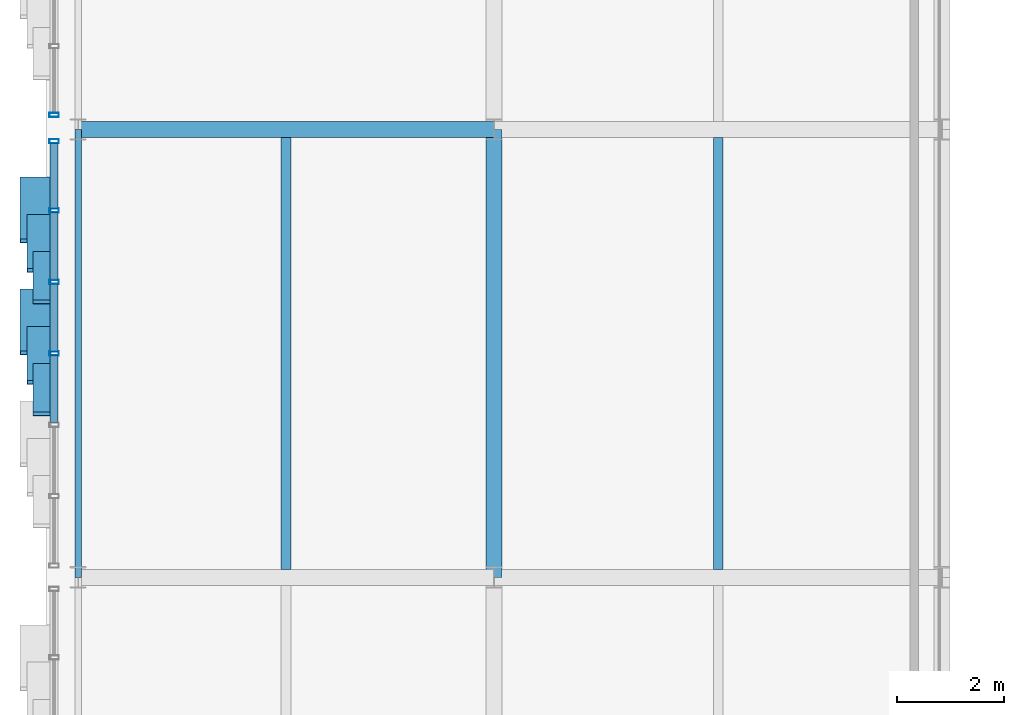
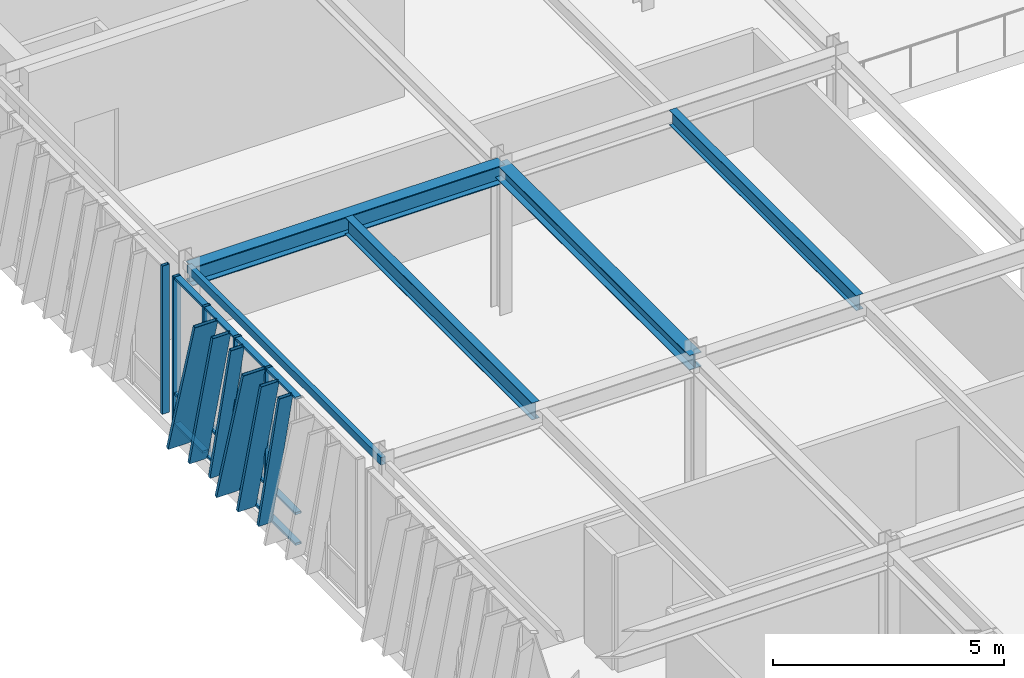
# One storey, part 40 of 127: 23 members, 5 beams, 2 elements without a shape of their own.
"""IFC4 building model written with IfcOpenShell, lengths in metres."""

import ifcopenshell
import ifcopenshell.guid

model = None  # the IFC model being written
_history = None  # IfcOwnerHistory: only IFC2X3 demands one
_inside = {}  # id of a spatial element -> (the spatial element, [elements in it])
_under = {}  # id of a project, library or spatial element -> (it, [spatial elements below it])
_declared = {}  # id of a project -> (the project, [libraries it declares])
_typed = {}  # id of a type object -> (the type object, [elements of that type])
_made_of = {}  # id of a material, layer set ... -> (it, [elements and type objects made of it])


def new_model(schema):
    """Start an empty IFC model of exactly this schema.

    Asked for "IFC4X3", IfcOpenShell would pick the latest addendum, in which some entities
    have other attributes; the version numbers below select the first issue.
    IFC2X3 requires an IfcOwnerHistory on every rooted entity: one is made here for all.
    """
    global model, _history
    if schema == "IFC4X3":
        model = ifcopenshell.file(schema_version=(4, 3, 0, 0))
    else:
        model = ifcopenshell.file(schema=schema)
    _inside.clear()
    _under.clear()
    _declared.clear()
    _typed.clear()
    _made_of.clear()
    _history = None
    if model.schema == "IFC2X3":
        org = make("IfcOrganization", Name="unknown")
        user = make(
            "IfcPersonAndOrganization",
            ThePerson=make("IfcPerson", FamilyName="unknown"),
            TheOrganization=org,
        )
        app = make(
            "IfcApplication",
            ApplicationDeveloper=org,
            Version="unknown",
            ApplicationFullName="unknown",
            ApplicationIdentifier="unknown",
        )
        _history = make(
            "IfcOwnerHistory",
            OwningUser=user,
            OwningApplication=app,
            ChangeAction="ADDED",
            CreationDate=0,
        )
    return model


def make(cls, **values):
    """One entity of the class cls with the attributes given. An attribute that is None is left unset."""
    return model.create_entity(
        cls, **{name: value for name, value in values.items() if value is not None}
    )


def rooted(cls, **values):
    """An entity with a GlobalId (a new one), such as an element, a storey or a relation."""
    return make(cls, GlobalId=ifcopenshell.guid.new(), OwnerHistory=_history, **values)


def si_unit(unit_type, name, prefix=None):
    """IfcSIUnit, for example si_unit("LENGTHUNIT", "METRE", prefix="MILLI")."""
    return make("IfcSIUnit", UnitType=unit_type, Prefix=prefix, Name=name)


def assignment(units):
    """IfcUnitAssignment: the units of a project."""
    return None if units is None else make("IfcUnitAssignment", Units=units)


def point(xyz):
    """IfcCartesianPoint."""
    return None if xyz is None else make("IfcCartesianPoint", Coordinates=xyz)


def direction(xyz):
    """IfcDirection."""
    return None if xyz is None else make("IfcDirection", DirectionRatios=xyz)


def frame(location, z_axis=None, x_axis=None):
    """IfcAxis2Placement3D, a coordinate frame: its origin and axes. An axis left out is left unset."""
    return make(
        "IfcAxis2Placement3D",
        Location=point(location),
        Axis=direction(z_axis),
        RefDirection=direction(x_axis),
    )


def frame_2d(location, x_axis=None):
    """IfcAxis2Placement2D, a coordinate frame in the plane: its origin and x axis."""
    return make(
        "IfcAxis2Placement2D", Location=point(location), RefDirection=direction(x_axis)
    )


def origin():
    """The frame at (0, 0, 0) with its axes left unset."""
    return frame((0.0, 0.0, 0.0))


def origin_2d():
    """The frame at (0, 0) in the plane with its x axis left unset."""
    return frame_2d((0.0, 0.0))


def place(relative_to, where):
    """IfcLocalPlacement: puts the frame where relative to a parent placement (None: the world)."""
    return make(
        "IfcLocalPlacement", PlacementRelTo=relative_to, RelativePlacement=where
    )


def context(
    kind, dimensions, precision=None, world=None, true_north=None, identifier=None
):
    """IfcGeometricRepresentationContext, for example the 3D "Model" context."""
    return make(
        "IfcGeometricRepresentationContext",
        ContextIdentifier=identifier,
        ContextType=kind,
        CoordinateSpaceDimension=dimensions,
        Precision=precision,
        WorldCoordinateSystem=world,
        TrueNorth=true_north,
    )


def subcontext(parent, identifier, kind, view, scale=None):
    """IfcGeometricRepresentationSubContext, for example "Body" below "Model"."""
    return make(
        "IfcGeometricRepresentationSubContext",
        ContextIdentifier=identifier,
        ContextType=kind,
        ParentContext=parent,
        TargetScale=scale,
        TargetView=view,
    )


def project(units=None, contexts=None):
    """IfcProject with its units and contexts."""
    return rooted(
        "IfcProject",
        Name="project",
        RepresentationContexts=contexts,
        UnitsInContext=assignment(units),
    )


def spatial(cls, under=None, at=None, **own):
    """A site, building, storey or space (cls), placed at a placement, below another one or the project."""
    s = rooted(cls, ObjectPlacement=at, **own)
    if under is not None:
        _under.setdefault(under.id(), (under, []))[1].append(s)
    return s


def profile(cls, at=None, kind="AREA", **sizes):
    """A parametric profile (cls). Its sizes go by their IFC names, for example OverallWidth=200.0."""
    return make(cls, ProfileType=kind, Position=at, **sizes)


def hollow_rectangle(**sizes):
    """IfcRectangleHollowProfileDef."""
    return profile("IfcRectangleHollowProfileDef", **sizes)


def i_section(**sizes):
    """IfcIShapeProfileDef."""
    return profile("IfcIShapeProfileDef", **sizes)


def extrude(swept, where, along, depth):
    """IfcExtrudedAreaSolid: the profile swept, set in the frame where, extruded along a direction by depth."""
    return make(
        "IfcExtrudedAreaSolid",
        SweptArea=swept,
        Position=where,
        ExtrudedDirection=direction(along),
        Depth=depth,
    )


def shape(context_of_items, identifier, shape_type, items):
    """IfcShapeRepresentation: the items that make up one representation, for example the "Body"."""
    return make(
        "IfcShapeRepresentation",
        ContextOfItems=context_of_items,
        RepresentationIdentifier=identifier,
        RepresentationType=shape_type,
        Items=items,
    )


def material(Name=None, Category=None):
    """IfcMaterial."""
    return make("IfcMaterial", Name=Name, Category=Category)


def layer(
    of_material, thickness, ventilated=None, Name=None, Category=None, Priority=None
):
    """IfcMaterialLayer: one layer of a wall or slab, of a material (None: an air gap)."""
    return make(
        "IfcMaterialLayer",
        Material=of_material,
        LayerThickness=thickness,
        IsVentilated=ventilated,
        Name=Name,
        Category=Category,
        Priority=Priority,
    )


def layer_set(layers, Name=None):
    """IfcMaterialLayerSet."""
    return make("IfcMaterialLayerSet", MaterialLayers=layers, LayerSetName=Name)


def material_profile(
    of_material, cross_section, Name=None, Category=None, Priority=None
):
    """IfcMaterialProfile: a cross section and its material."""
    return make(
        "IfcMaterialProfile",
        Name=Name,
        Material=of_material,
        Profile=cross_section,
        Priority=Priority,
        Category=Category,
    )


def profile_set(profiles, Name=None, composite=None):
    """IfcMaterialProfileSet."""
    return make(
        "IfcMaterialProfileSet",
        Name=Name,
        MaterialProfiles=profiles,
        CompositeProfile=composite,
    )


def made_of(thing, what):
    """Note that an element or type object is made of a material, layer set ...; save() writes the relation."""
    if what is not None:
        _made_of.setdefault(what.id(), (what, []))[1].append(thing)
    return thing


def type_object(cls, material=None, **own):
    """A type object (cls), such as IfcWallType, which elements share."""
    return made_of(rooted(cls, **own), material)


def element(
    cls,
    number,
    at=None,
    inside=None,
    cuts=None,
    type_object=None,
    material=None,
    context=None,
    identifier="Body",
    shape_type=None,
    held_by="IfcProductDefinitionShape",
    body=None,
    shapes=None,
    **own,
):
    """One element of the class cls, such as IfcWall. Its Tag is "e" and its number.

    at: its placement. inside: the storey or other place that contains it. cuts: it is an
    opening in that element (IfcRelVoidsElement). A single representation is given by context,
    identifier, shape_type and body (its items); several are given by shapes. held_by: the class
    of the entity that holds the representations. save() writes the other relations.
    """
    e = rooted(cls, Tag="e%d" % number, ObjectPlacement=at, **own)
    if body is not None:
        shapes = [shape(context, identifier, shape_type, body)]
    if shapes is not None:
        e.Representation = make(held_by, Representations=shapes)
    if inside is not None:
        _inside.setdefault(inside.id(), (inside, []))[1].append(e)
    if cuts is not None:
        rooted(
            "IfcRelVoidsElement", RelatingBuildingElement=cuts, RelatedOpeningElement=e
        )
    if type_object is not None:
        _typed.setdefault(type_object.id(), (type_object, []))[1].append(e)
    return made_of(e, material)


def aggregate(whole, parts):
    """IfcRelAggregates: a whole, such as a stair, and the parts it consists of."""
    return rooted("IfcRelAggregates", RelatingObject=whole, RelatedObjects=parts)


def save(model, path):
    """Write the relations noted so far, then the file.

    IfcRelAggregates (storeys below a building ...), IfcRelContainedInSpatialStructure (elements
    in a storey), IfcRelDefinesByType, IfcRelAssociatesMaterial and IfcRelDeclares: one each for
    every whole, place, type object, material and project.
    """
    for whole, parts in _under.values():
        aggregate(whole, parts)
    for where, things in _inside.values():
        rooted(
            "IfcRelContainedInSpatialStructure",
            RelatedElements=things,
            RelatingStructure=where,
        )
    for kind, things in _typed.values():
        rooted("IfcRelDefinesByType", RelatedObjects=things, RelatingType=kind)
    for what, things in _made_of.values():
        rooted("IfcRelAssociatesMaterial", RelatedObjects=things, RelatingMaterial=what)
    for by, libraries in _declared.values():
        rooted("IfcRelDeclares", RelatingContext=by, RelatedDefinitions=libraries)
    model.write(path)


model = new_model("IFC4")

# Units and contexts
model_context = context("Model", 3, precision=1e-05, world=origin(), true_north=direction((0.0, 1.0)))
body_context = subcontext(model_context, "Body", "Model", "MODEL_VIEW")
ifc_project = project(units=[si_unit("LENGTHUNIT", "METRE"), si_unit("AREAUNIT", "SQUARE_METRE"), si_unit("VOLUMEUNIT", "CUBIC_METRE"), si_unit("PLANEANGLEUNIT", "RADIAN"), si_unit("MASSUNIT", "GRAM", prefix="KILO")], contexts=[model_context])

# Site, building, storey
site_placement = place(None, origin())
site = spatial("IfcSite", under=ifc_project, at=site_placement, CompositionType="ELEMENT")
building_placement = place(site_placement, origin())
building = spatial("IfcBuilding", under=site, at=building_placement, Name="Zayran Congress Hotel", CompositionType="ELEMENT")
storey_placement = place(building_placement, frame((0.0, 0.0, 10.800048828125)))
storey = spatial("IfcBuildingStorey", under=building, at=storey_placement, Name="L02", CompositionType="ELEMENT", Elevation=10.800048828125)

# Beams
ifc_material_1 = material(Name="Steel S355", Category="steel")
ifc_material_profile_1 = material_profile(ifc_material_1, i_section(OverallWidth=0.300048828125, OverallDepth=0.489990234375, WebThickness=0.011962890625, FlangeThickness=0.02294921875, at=origin_2d()), Name="HEA 500")
ifc_profile_set_1 = profile_set([ifc_material_profile_1], Name="Steel S355")
beam_type_1 = type_object("IfcBeamType", Name="TP-BM-05", PredefinedType="BEAM", material=ifc_profile_set_1)
beam_1_placement = place(storey_placement, frame((9.0, 101.199951171875, 3.675048828125), z_axis=(1.0, 0.0, 0.0), x_axis=(0.0, 1.0, 0.0)))
element("IfcBeam", 1, at=beam_1_placement, inside=storey, type_object=beam_type_1, Name="BM-V1-L02-0686", PredefinedType="BEAM", context=body_context, shape_type="SweptSolid", body=[
    extrude(i_section(OverallWidth=0.300048828125, OverallDepth=0.489990234375, WebThickness=0.011962890625, FlangeThickness=0.02294921875, at=origin_2d()), origin(), (0.0, 0.0, 1.0), 7.800048828125),
])
ifc_material_profile_2 = material_profile(ifc_material_1, i_section(OverallWidth=0.300048828125, OverallDepth=0.389892578125, WebThickness=0.010986328125, FlangeThickness=0.01904296875, at=origin_2d()), Name="HEA 400")
ifc_profile_set_2 = profile_set([ifc_material_profile_2], Name="Steel S355")
beam_type_2 = type_object("IfcBeamType", Name="TP-BM-06", PredefinedType="BEAM", material=ifc_profile_set_2)
beam_2_placement = place(storey_placement, frame((16.800048828125, 92.800048828125, 3.724853515625), z_axis=(0.0, 1.0, 0.0), x_axis=(-1.0, 0.0, 0.0)))
element("IfcBeam", 2, at=beam_2_placement, inside=storey, type_object=beam_type_2, Name="BM-V1-L02-0718", PredefinedType="BEAM", context=body_context, shape_type="SweptSolid", body=[
    extrude(i_section(OverallWidth=0.300048828125, OverallDepth=0.389892578125, WebThickness=0.010986328125, FlangeThickness=0.01904296875, at=origin_2d()), origin(), (0.0, 0.0, 1.0), 8.39990234375),
])
ifc_material_profile_3 = material_profile(ifc_material_1, i_section(OverallWidth=0.18994140625, OverallDepth=0.449951171875, WebThickness=0.009521484375, FlangeThickness=0.0146484375, at=origin_2d()), Name="IPE 450")
ifc_profile_set_3 = profile_set([ifc_material_profile_3], Name="Steel S355")
beam_type_3 = type_object("IfcBeamType", Name="TP-JS-02", PredefinedType="JOIST", material=ifc_profile_set_3)
beam_3_placement = place(storey_placement, frame((12.89990234375, 92.949951171875, 3.695068359375), z_axis=(0.0, 1.0, 0.0), x_axis=(-1.0, 0.0, 0.0)))
element("IfcBeam", 3, at=beam_3_placement, inside=storey, type_object=beam_type_3, Name="JST-V1-L02-0758", PredefinedType="JOIST", context=body_context, shape_type="SweptSolid", body=[
    extrude(i_section(OverallWidth=0.18994140625, OverallDepth=0.449951171875, WebThickness=0.009521484375, FlangeThickness=0.0146484375, at=origin_2d()), origin(), (0.0, 0.0, 1.0), 8.10009765625),
])
ifc_material_profile_4 = material_profile(ifc_material_1, i_section(OverallWidth=0.179931640625, OverallDepth=0.39990234375, WebThickness=0.008544921875, FlangeThickness=0.013427734375, at=origin_2d()), Name="IPE 400")
ifc_profile_set_4 = profile_set([ifc_material_profile_4], Name="Steel S355")
beam_type_4 = type_object("IfcBeamType", Name="TP-JS-03", PredefinedType="JOIST", material=ifc_profile_set_4)
beam_4_placement = place(storey_placement, frame((21.0, 92.949951171875, 3.719970703125), z_axis=(0.0, 1.0, 0.0), x_axis=(-1.0, 0.0, 0.0)))
element("IfcBeam", 4, at=beam_4_placement, inside=storey, type_object=beam_type_4, Name="JST-V1-L02-0762", PredefinedType="JOIST", context=body_context, shape_type="SweptSolid", body=[
    extrude(i_section(OverallWidth=0.179931640625, OverallDepth=0.39990234375, WebThickness=0.008544921875, FlangeThickness=0.013427734375, at=origin_2d()), origin(), (0.0, 0.0, 1.0), 8.10009765625),
])
ifc_material_profile_5 = material_profile(ifc_material_1, hollow_rectangle(XDim=0.1201171875, YDim=0.199951171875, WallThickness=0.008056640625, at=origin_2d()), Name="RHS 200x120x8")
ifc_profile_set_5 = profile_set([ifc_material_profile_5], Name="Steel S355")
beam_type_5 = type_object("IfcBeamType", Name="TP-SP-02", PredefinedType="SPANDREL", material=ifc_profile_set_5)
beam_5_placement = place(storey_placement, frame((9.0, 92.800048828125, 3.820068359375), z_axis=(0.0, 1.0, 0.0), x_axis=(-1.0, 0.0, 0.0)))
element("IfcBeam", 5, at=beam_5_placement, inside=storey, type_object=beam_type_5, Name="BM-V1-L02-0713", PredefinedType="SPANDREL", context=body_context, shape_type="SweptSolid", body=[
    extrude(hollow_rectangle(XDim=0.1201171875, YDim=0.199951171875, WallThickness=0.008056640625, at=origin_2d()), origin(), (0.0, 0.0, 1.0), 8.39990234375),
])

# Curtain wall, members
ifc_material_2 = material(Name="Anodised aluminium and low-E insulated glass", Category="aluminium")
ifc_layer_1 = layer(ifc_material_2, 0.179931640625)
ifc_layer_set_1 = layer_set([ifc_layer_1], Name="Anodised aluminium and low-E insulated glass")
curtain_wall_type_1 = type_object("IfcCurtainWallType", Name="CW-V1W-L02-CW-32-8040-3920", PredefinedType="USERDEFINED", material=ifc_layer_set_1)
curtain_wall_1_placement = place(storey_placement, origin())
curtain_wall_1 = element("IfcCurtainWall", 6, at=curtain_wall_1_placement, inside=storey, type_object=curtain_wall_type_1, Name="CW-V1W-L02-3", ObjectType="CURTAIN WALL", PredefinedType="USERDEFINED")
ifc_material_3 = material(Name="Anodised aluminium framing", Category="aluminium")
ifc_material_profile_6 = material_profile(ifc_material_3, hollow_rectangle(XDim=0.080078125, YDim=0.179931640625, WallThickness=0.0048828125, at=origin_2d()), Name="RHS 180x80x5")
ifc_profile_set_6 = profile_set([ifc_material_profile_6], Name="Anodised aluminium framing")
member_type_1 = type_object("IfcMemberType", Name="TP-CWM-01", PredefinedType="MULLION", material=ifc_profile_set_6)
member_1_placement = place(storey_placement, frame((8.550048828125, 100.97998046875, 0.0), z_axis=(0.0, 0.0, 1.0), x_axis=(0.0, 1.0, 0.0)))
member_1 = element("IfcMember", 7, at=member_1_placement, type_object=member_type_1, Name="CW-V1W-L02-3-M00", PredefinedType="MULLION", context=body_context, shape_type="SweptSolid", body=[
    extrude(hollow_rectangle(XDim=0.080078125, YDim=0.179931640625, WallThickness=0.0048828125, at=origin_2d()), origin(), (0.0, 0.0, 1.0), 3.919921875),
])
member_2_placement = place(storey_placement, frame((8.550048828125, 99.679931640625, 0.0), z_axis=(0.0, 0.0, 1.0), x_axis=(0.0, 1.0, 0.0)))
member_2 = element("IfcMember", 8, at=member_2_placement, type_object=member_type_1, Name="CW-V1W-L02-3-M01", PredefinedType="MULLION", context=body_context, shape_type="SweptSolid", body=[
    extrude(hollow_rectangle(XDim=0.080078125, YDim=0.179931640625, WallThickness=0.0048828125, at=origin_2d()), origin(), (0.0, 0.0, 1.0), 3.919921875),
])
member_3_placement = place(storey_placement, frame((8.550048828125, 98.340087890625, 0.0), z_axis=(0.0, 0.0, 1.0), x_axis=(0.0, 1.0, 0.0)))
member_3 = element("IfcMember", 9, at=member_3_placement, type_object=member_type_1, Name="CW-V1W-L02-3-M02", PredefinedType="MULLION", context=body_context, shape_type="SweptSolid", body=[
    extrude(hollow_rectangle(XDim=0.080078125, YDim=0.179931640625, WallThickness=0.0048828125, at=origin_2d()), origin(), (0.0, 0.0, 1.0), 3.919921875),
])
member_4_placement = place(storey_placement, frame((8.550048828125, 97.0, 0.0), z_axis=(0.0, 0.0, 1.0), x_axis=(0.0, 1.0, 0.0)))
member_4 = element("IfcMember", 10, at=member_4_placement, type_object=member_type_1, Name="CW-V1W-L02-3-M03", PredefinedType="MULLION", context=body_context, shape_type="SweptSolid", body=[
    extrude(hollow_rectangle(XDim=0.080078125, YDim=0.179931640625, WallThickness=0.0048828125, at=origin_2d()), origin(), (0.0, 0.0, 1.0), 3.919921875),
])

# Curtain wall, member
ifc_layer_2 = layer(ifc_material_2, 0.179931640625)
ifc_layer_set_2 = layer_set([ifc_layer_2], Name="Anodised aluminium and low-E insulated glass")
curtain_wall_type_2 = type_object("IfcCurtainWallType", Name="CW-V1W-L02-CW-31-7990-3920", PredefinedType="USERDEFINED", material=ifc_layer_set_2)
curtain_wall_2_placement = place(storey_placement, origin())
curtain_wall_2 = element("IfcCurtainWall", 11, at=curtain_wall_2_placement, inside=storey, type_object=curtain_wall_type_2, Name="CW-V1W-L02-4", ObjectType="CURTAIN WALL", PredefinedType="USERDEFINED")
member_5_placement = place(storey_placement, frame((8.550048828125, 101.469970703125, 0.0), z_axis=(0.0, 0.0, 1.0), x_axis=(0.0, 1.0, 0.0)))
member_5 = element("IfcMember", 12, at=member_5_placement, type_object=member_type_1, Name="CW-V1W-L02-4-M06", PredefinedType="MULLION", context=body_context, shape_type="SweptSolid", body=[
    extrude(hollow_rectangle(XDim=0.080078125, YDim=0.179931640625, WallThickness=0.0048828125, at=origin_2d()), origin(), (0.0, 0.0, 1.0), 3.919921875),
])
aggregate(curtain_wall_2, [member_5])

# Member
ifc_material_profile_7 = material_profile(ifc_material_3, hollow_rectangle(XDim=0.06005859375, YDim=0.14990234375, WallThickness=0.00390625, at=origin_2d()), Name="RHS 150x60x4")
ifc_profile_set_7 = profile_set([ifc_material_profile_7], Name="Anodised aluminium framing")
member_type_2 = type_object("IfcMemberType", Name="TP-CWT-01", PredefinedType="USERDEFINED", material=ifc_profile_set_7)
member_6_placement = place(storey_placement, frame((8.550048828125, 100.93994140625, 0.030029296875), z_axis=(0.0, -1.0, 0.0), x_axis=(0.0, 0.0, 1.0)))
member_6 = element("IfcMember", 13, at=member_6_placement, type_object=member_type_2, Name="CW-V1W-L02-3-T00-0", ObjectType="TRANSOM", PredefinedType="USERDEFINED", context=body_context, shape_type="SweptSolid", body=[
    extrude(hollow_rectangle(XDim=0.06005859375, YDim=0.14990234375, WallThickness=0.00390625, at=origin_2d()), origin(), (0.0, 0.0, 1.0), 1.219970703125),
])

member_7_placement = place(storey_placement, frame((8.550048828125, 100.93994140625, 0.83984375), z_axis=(0.0, -1.0, 0.0), x_axis=(0.0, 0.0, 1.0)))
member_7 = element("IfcMember", 14, at=member_7_placement, type_object=member_type_2, Name="CW-V1W-L02-3-T00-1", ObjectType="TRANSOM", PredefinedType="USERDEFINED", context=body_context, shape_type="SweptSolid", body=[
    extrude(hollow_rectangle(XDim=0.06005859375, YDim=0.14990234375, WallThickness=0.00390625, at=origin_2d()), origin(), (0.0, 0.0, 1.0), 1.219970703125),
])

member_8_placement = place(storey_placement, frame((8.550048828125, 100.93994140625, 3.889892578125), z_axis=(0.0, -1.0, 0.0), x_axis=(0.0, 0.0, 1.0)))
member_8 = element("IfcMember", 15, at=member_8_placement, type_object=member_type_2, Name="CW-V1W-L02-3-T00-2", ObjectType="TRANSOM", PredefinedType="USERDEFINED", context=body_context, shape_type="SweptSolid", body=[
    extrude(hollow_rectangle(XDim=0.06005859375, YDim=0.14990234375, WallThickness=0.00390625, at=origin_2d()), origin(), (0.0, 0.0, 1.0), 1.219970703125),
])

member_9_placement = place(storey_placement, frame((8.550048828125, 99.639892578125, 0.030029296875), z_axis=(0.0, -1.0, 0.0), x_axis=(0.0, 0.0, 1.0)))
member_9 = element("IfcMember", 16, at=member_9_placement, type_object=member_type_2, Name="CW-V1W-L02-3-T01-0", ObjectType="TRANSOM", PredefinedType="USERDEFINED", context=body_context, shape_type="SweptSolid", body=[
    extrude(hollow_rectangle(XDim=0.06005859375, YDim=0.14990234375, WallThickness=0.00390625, at=origin_2d()), origin(), (0.0, 0.0, 1.0), 1.260009765625),
])

member_10_placement = place(storey_placement, frame((8.550048828125, 99.639892578125, 0.83984375), z_axis=(0.0, -1.0, 0.0), x_axis=(0.0, 0.0, 1.0)))
member_10 = element("IfcMember", 17, at=member_10_placement, type_object=member_type_2, Name="CW-V1W-L02-3-T01-1", ObjectType="TRANSOM", PredefinedType="USERDEFINED", context=body_context, shape_type="SweptSolid", body=[
    extrude(hollow_rectangle(XDim=0.06005859375, YDim=0.14990234375, WallThickness=0.00390625, at=origin_2d()), origin(), (0.0, 0.0, 1.0), 1.260009765625),
])

member_11_placement = place(storey_placement, frame((8.550048828125, 99.639892578125, 3.889892578125), z_axis=(0.0, -1.0, 0.0), x_axis=(0.0, 0.0, 1.0)))
member_11 = element("IfcMember", 18, at=member_11_placement, type_object=member_type_2, Name="CW-V1W-L02-3-T01-2", ObjectType="TRANSOM", PredefinedType="USERDEFINED", context=body_context, shape_type="SweptSolid", body=[
    extrude(hollow_rectangle(XDim=0.06005859375, YDim=0.14990234375, WallThickness=0.00390625, at=origin_2d()), origin(), (0.0, 0.0, 1.0), 1.260009765625),
])

member_12_placement = place(storey_placement, frame((8.550048828125, 98.300048828125, 0.030029296875), z_axis=(0.0, -1.0, 0.0), x_axis=(0.0, 0.0, 1.0)))
member_12 = element("IfcMember", 19, at=member_12_placement, type_object=member_type_2, Name="CW-V1W-L02-3-T02-0", ObjectType="TRANSOM", PredefinedType="USERDEFINED", context=body_context, shape_type="SweptSolid", body=[
    extrude(hollow_rectangle(XDim=0.06005859375, YDim=0.14990234375, WallThickness=0.00390625, at=origin_2d()), origin(), (0.0, 0.0, 1.0), 1.260009765625),
])

member_13_placement = place(storey_placement, frame((8.550048828125, 98.300048828125, 0.83984375), z_axis=(0.0, -1.0, 0.0), x_axis=(0.0, 0.0, 1.0)))
member_13 = element("IfcMember", 20, at=member_13_placement, type_object=member_type_2, Name="CW-V1W-L02-3-T02-1", ObjectType="TRANSOM", PredefinedType="USERDEFINED", context=body_context, shape_type="SweptSolid", body=[
    extrude(hollow_rectangle(XDim=0.06005859375, YDim=0.14990234375, WallThickness=0.00390625, at=origin_2d()), origin(), (0.0, 0.0, 1.0), 1.260009765625),
])

member_14_placement = place(storey_placement, frame((8.550048828125, 98.300048828125, 3.889892578125), z_axis=(0.0, -1.0, 0.0), x_axis=(0.0, 0.0, 1.0)))
member_14 = element("IfcMember", 21, at=member_14_placement, type_object=member_type_2, Name="CW-V1W-L02-3-T02-2", ObjectType="TRANSOM", PredefinedType="USERDEFINED", context=body_context, shape_type="SweptSolid", body=[
    extrude(hollow_rectangle(XDim=0.06005859375, YDim=0.14990234375, WallThickness=0.00390625, at=origin_2d()), origin(), (0.0, 0.0, 1.0), 1.260009765625),
])

member_15_placement = place(storey_placement, frame((8.550048828125, 96.9599609375, 0.030029296875), z_axis=(0.0, -1.0, 0.0), x_axis=(0.0, 0.0, 1.0)))
member_15 = element("IfcMember", 22, at=member_15_placement, type_object=member_type_2, Name="CW-V1W-L02-3-T03-0", ObjectType="TRANSOM", PredefinedType="USERDEFINED", context=body_context, shape_type="SweptSolid", body=[
    extrude(hollow_rectangle(XDim=0.06005859375, YDim=0.14990234375, WallThickness=0.00390625, at=origin_2d()), origin(), (0.0, 0.0, 1.0), 1.260009765625),
])

member_16_placement = place(storey_placement, frame((8.550048828125, 96.9599609375, 0.83984375), z_axis=(0.0, -1.0, 0.0), x_axis=(0.0, 0.0, 1.0)))
member_16 = element("IfcMember", 23, at=member_16_placement, type_object=member_type_2, Name="CW-V1W-L02-3-T03-1", ObjectType="TRANSOM", PredefinedType="USERDEFINED", context=body_context, shape_type="SweptSolid", body=[
    extrude(hollow_rectangle(XDim=0.06005859375, YDim=0.14990234375, WallThickness=0.00390625, at=origin_2d()), origin(), (0.0, 0.0, 1.0), 1.260009765625),
])

member_17_placement = place(storey_placement, frame((8.550048828125, 96.9599609375, 3.889892578125), z_axis=(0.0, -1.0, 0.0), x_axis=(0.0, 0.0, 1.0)))
member_17 = element("IfcMember", 24, at=member_17_placement, type_object=member_type_2, Name="CW-V1W-L02-3-T03-2", ObjectType="TRANSOM", PredefinedType="USERDEFINED", context=body_context, shape_type="SweptSolid", body=[
    extrude(hollow_rectangle(XDim=0.06005859375, YDim=0.14990234375, WallThickness=0.00390625, at=origin_2d()), origin(), (0.0, 0.0, 1.0), 1.260009765625),
])

ifc_material_4 = material(Name="Warm bronze anodised aluminium", Category="aluminium")
ifc_material_profile_8 = material_profile(ifc_material_4, hollow_rectangle(XDim=0.080078125, YDim=0.580078125, WallThickness=0.006103515625, at=origin_2d()), Name="RHS 580x80x6")
ifc_profile_set_8 = profile_set([ifc_material_profile_8], Name="Warm bronze anodised aluminium")
member_type_3 = type_object("IfcMemberType", Name="TP-RFN-01", PredefinedType="MULLION", material=ifc_profile_set_8)
member_18_placement = place(storey_placement, frame((8.199951171875, 100.27001953125, 0.0), z_axis=(0.0, -0.28401513196, 0.958819797886), x_axis=(0.0, 0.958819797886, 0.28401513196)))
member_18 = element("IfcMember", 25, at=member_18_placement, type_object=member_type_3, Name="Slanting Reed Mullion CW-32-01", PredefinedType="MULLION", context=body_context, shape_type="SweptSolid", body=[
    extrude(hollow_rectangle(XDim=0.080078125, YDim=0.580078125, WallThickness=0.006103515625, at=origin_2d()), origin(), (0.0, 0.0, 1.0), 4.08837890625),
])

member_19_placement = place(storey_placement, frame((8.199951171875, 98.169921875, 0.0), z_axis=(0.0, -0.28401513196, 0.958819797886), x_axis=(0.0, 0.958819797886, 0.28401513196)))
member_19 = element("IfcMember", 26, at=member_19_placement, type_object=member_type_3, Name="Slanting Reed Mullion CW-32-04", PredefinedType="MULLION", context=body_context, shape_type="SweptSolid", body=[
    extrude(hollow_rectangle(XDim=0.080078125, YDim=0.580078125, WallThickness=0.006103515625, at=origin_2d()), origin(), (0.0, 0.0, 1.0), 4.08837890625),
])

ifc_material_profile_9 = material_profile(ifc_material_4, hollow_rectangle(XDim=0.080078125, YDim=0.449951171875, WallThickness=0.006103515625, at=origin_2d()), Name="RHS 450x80x6")
ifc_profile_set_9 = profile_set([ifc_material_profile_9], Name="Warm bronze anodised aluminium")
member_type_4 = type_object("IfcMemberType", Name="TP-RFN-02", PredefinedType="MULLION", material=ifc_profile_set_9)
member_20_placement = place(storey_placement, frame((8.264892578125, 99.570068359375, 0.0), z_axis=(0.0, -0.250415952743, 0.968138342703), x_axis=(0.0, 0.968138342703, 0.250415952743)))
member_20 = element("IfcMember", 27, at=member_20_placement, type_object=member_type_4, Name="Slanting Reed Mullion CW-32-02", PredefinedType="MULLION", context=body_context, shape_type="SweptSolid", body=[
    extrude(hollow_rectangle(XDim=0.080078125, YDim=0.449951171875, WallThickness=0.006103515625, at=origin_2d()), origin(), (0.0, 0.0, 1.0), 4.048828125),
])

member_21_placement = place(storey_placement, frame((8.264892578125, 97.469970703125, 0.0), z_axis=(0.0, -0.25035943501, 0.968152959662), x_axis=(0.0, 0.968152959662, 0.25035943501)))
member_21 = element("IfcMember", 28, at=member_21_placement, type_object=member_type_4, Name="Slanting Reed Mullion CW-32-05", PredefinedType="MULLION", context=body_context, shape_type="SweptSolid", body=[
    extrude(hollow_rectangle(XDim=0.080078125, YDim=0.449951171875, WallThickness=0.006103515625, at=origin_2d()), origin(), (0.0, 0.0, 1.0), 4.048828125),
])

ifc_material_profile_10 = material_profile(ifc_material_4, hollow_rectangle(XDim=0.080078125, YDim=0.340087890625, WallThickness=0.006103515625, at=origin_2d()), Name="RHS 340x80x6")
ifc_profile_set_10 = profile_set([ifc_material_profile_10], Name="Warm bronze anodised aluminium")
member_type_5 = type_object("IfcMemberType", Name="TP-RFN-03", PredefinedType="MULLION", material=ifc_profile_set_10)
member_22_placement = place(storey_placement, frame((8.320068359375, 98.8701171875, 0.0), z_axis=(0.0, -0.224961443605, 0.974367666177), x_axis=(0.0, 0.974367666177, 0.224961443605)))
member_22 = element("IfcMember", 29, at=member_22_placement, type_object=member_type_5, Name="Slanting Reed Mullion CW-32-03", PredefinedType="MULLION", context=body_context, shape_type="SweptSolid", body=[
    extrude(hollow_rectangle(XDim=0.080078125, YDim=0.340087890625, WallThickness=0.006103515625, at=origin_2d()), origin(), (0.0, 0.0, 1.0), 4.02294921875),
])

member_23_placement = place(storey_placement, frame((8.320068359375, 96.77001953125, 0.0), z_axis=(0.0, -0.224961443605, 0.974367666177), x_axis=(0.0, 0.974367666177, 0.224961443605)))
member_23 = element("IfcMember", 30, at=member_23_placement, type_object=member_type_5, Name="Slanting Reed Mullion CW-32-06", PredefinedType="MULLION", context=body_context, shape_type="SweptSolid", body=[
    extrude(hollow_rectangle(XDim=0.080078125, YDim=0.340087890625, WallThickness=0.006103515625, at=origin_2d()), origin(), (0.0, 0.0, 1.0), 4.02294921875),
])

aggregate(curtain_wall_1, [member_1, member_2, member_3, member_4, member_6, member_7, member_8, member_9, member_10, member_11, member_12, member_13, member_14, member_15, member_16, member_17, member_18, member_20, member_22, member_19, member_21, member_23])

save(model, "model.ifc")
